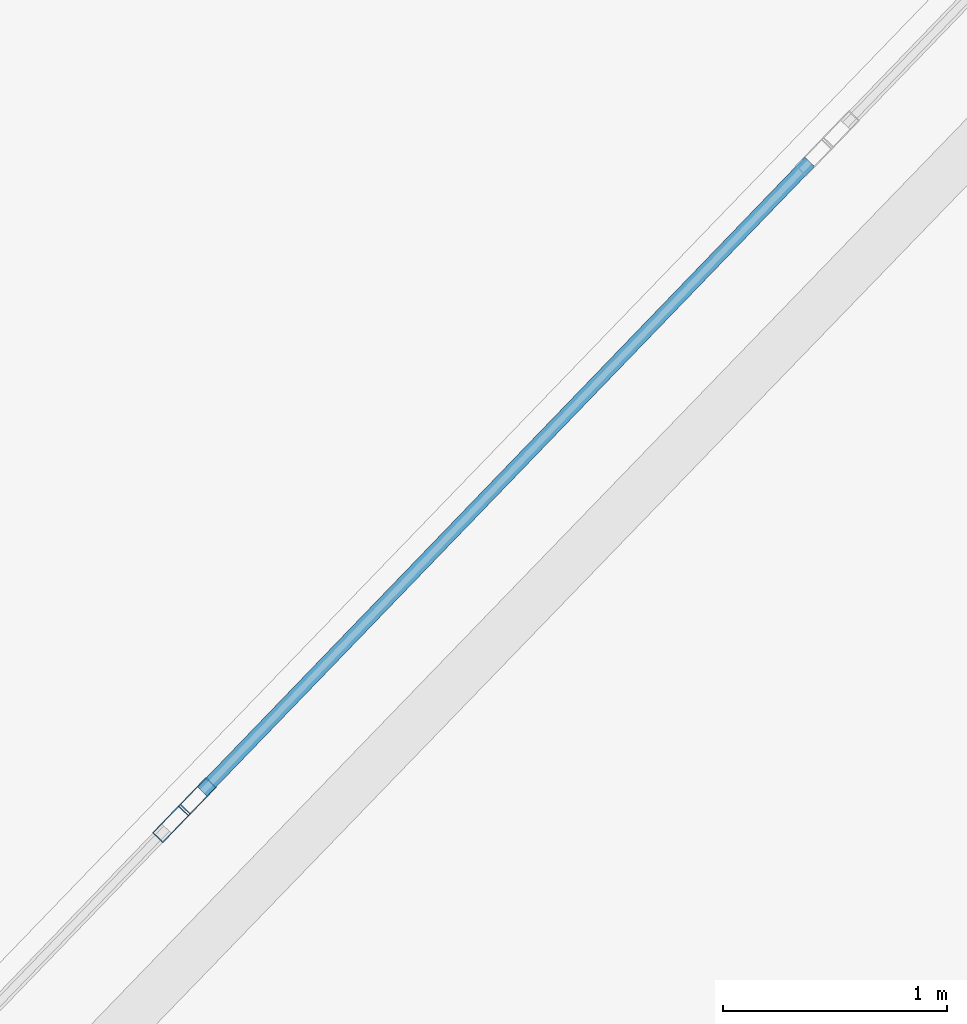
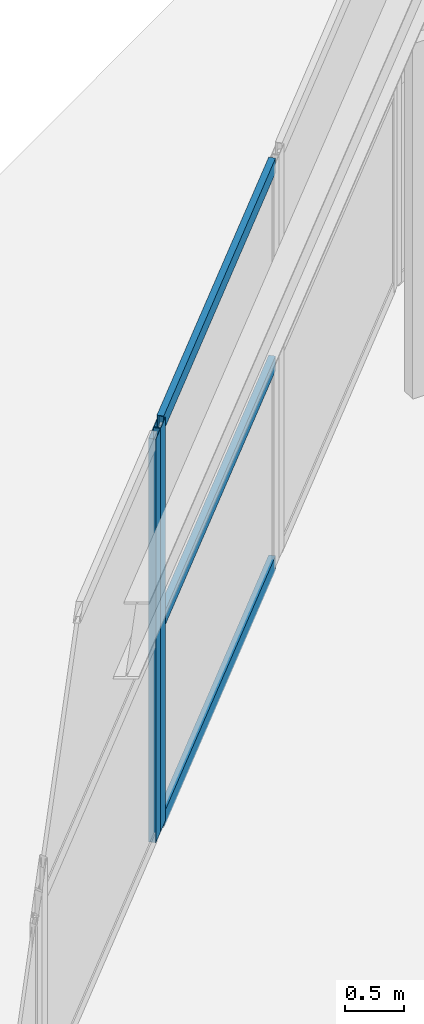
# One storey, part 59 of 126: 5 members, 2 elements without a shape of their own.
"""IFC4 building model written with IfcOpenShell, lengths in metres."""

from ifc_helpers import new_model, si_unit, direction, frame, origin, origin_2d, place, context, subcontext, project, spatial, hollow_rectangle, extrude, material, layer, layer_set, material_profile, profile_set, type_object, element, aggregate, save


model = new_model("IFC4")

# Units and contexts
model_context = context("Model", 3, precision=1e-05, world=origin(), true_north=direction((0.0, 1.0)))
body_context = subcontext(model_context, "Body", "Model", "MODEL_VIEW")
ifc_project = project(units=[si_unit("LENGTHUNIT", "METRE"), si_unit("AREAUNIT", "SQUARE_METRE"), si_unit("VOLUMEUNIT", "CUBIC_METRE"), si_unit("PLANEANGLEUNIT", "RADIAN"), si_unit("MASSUNIT", "GRAM", prefix="KILO")], contexts=[model_context])

# Site, building, storey
site_placement = place(None, origin())
site = spatial("IfcSite", under=ifc_project, at=site_placement, CompositionType="ELEMENT")
building_placement = place(site_placement, origin())
building = spatial("IfcBuilding", under=site, at=building_placement, Name="Kalgoora Escarpment Arena", CompositionType="ELEMENT")
storey_placement = place(building_placement, frame((0.0, 0.0, 18.89990234375)))
storey = spatial("IfcBuildingStorey", under=building, at=storey_placement, Name="L04", CompositionType="ELEMENT", Elevation=18.89990234375)

# Curtain wall, member
ifc_material_1 = material(Name=" Champagne anodised aluminium & double-glazed low-E", Category="aluminium")
ifc_layer_1 = layer(ifc_material_1, 0.162109375)
ifc_layer_set_1 = layer_set([ifc_layer_1], Name="CW-UNIT-08")
curtain_wall_type_1 = type_object("IfcCurtainWallType", Name="CW-UNIT-08", PredefinedType="NOTDEFINED", material=ifc_layer_set_1)
curtain_wall_1_placement = place(storey_placement, origin())
curtain_wall_1 = element("IfcCurtainWall", 1, at=curtain_wall_1_placement, inside=storey, type_object=curtain_wall_type_1, Name="L04 unitised facade curtain wall 147", PredefinedType="NOTDEFINED")
ifc_material_2 = material(Name="Anodised aluminium 6063-T6", Category="aluminium")
ifc_material_profile_1 = material_profile(ifc_material_2, hollow_rectangle(XDim=0.06494140625, YDim=0.179931640625, WallThickness=0.00390625, at=origin_2d()))
ifc_profile_set_1 = profile_set([ifc_material_profile_1], Name="Anodised aluminium 6063-T6")
member_type_1 = type_object("IfcMemberType", Name="MEM-CW-MULL-180", PredefinedType="MULLION", material=ifc_profile_set_1)
member_1_placement = place(storey_placement, frame((35.481689453125, 98.6220703125, 0.02001953125), z_axis=(0.0, 0.0, 1.0), x_axis=(-0.719777208849, 0.694205135116, 0.0)))
member_1 = element("IfcMember", 2, at=member_1_placement, type_object=member_type_1, Name="CW-08 mullion 2", PredefinedType="MULLION", context=body_context, shape_type="SweptSolid", body=[
    extrude(hollow_rectangle(XDim=0.06494140625, YDim=0.179931640625, WallThickness=0.00390625, at=origin_2d()), origin(), (0.0, 0.0, 1.0), 4.16015625),
])
aggregate(curtain_wall_1, [member_1])

# Curtain wall, members
ifc_material_3 = material(Name=" Champagne anodised aluminium & double-glazed low-E", Category="aluminium")
ifc_layer_2 = layer(ifc_material_3, 0.166015625)
ifc_layer_set_2 = layer_set([ifc_layer_2], Name="CW-UNIT-09")
curtain_wall_type_2 = type_object("IfcCurtainWallType", Name="CW-UNIT-09", PredefinedType="NOTDEFINED", material=ifc_layer_set_2)
curtain_wall_2_placement = place(storey_placement, origin())
curtain_wall_2 = element("IfcCurtainWall", 3, at=curtain_wall_2_placement, inside=storey, type_object=curtain_wall_type_2, Name="L04 unitised facade curtain wall 148", PredefinedType="NOTDEFINED")
member_2_placement = place(storey_placement, frame((35.59619140625, 98.74072265625, 0.02001953125), z_axis=(0.0, 0.0, 1.0), x_axis=(-0.719777208849, 0.694205135116, 0.0)))
member_2 = element("IfcMember", 4, at=member_2_placement, type_object=member_type_1, Name="CW-09 mullion 1", PredefinedType="MULLION", context=body_context, shape_type="SweptSolid", body=[
    extrude(hollow_rectangle(XDim=0.06494140625, YDim=0.179931640625, WallThickness=0.00390625, at=origin_2d()), origin(), (0.0, 0.0, 1.0), 4.16015625),
])
ifc_material_4 = material(Name="Anodised aluminium 6063-T6", Category="aluminium")
ifc_material_profile_2 = material_profile(ifc_material_4, hollow_rectangle(XDim=0.06005859375, YDim=0.14990234375, WallThickness=0.00341796875, at=origin_2d()))
ifc_profile_set_2 = profile_set([ifc_material_profile_2], Name="Anodised aluminium 6063-T6")
member_type_2 = type_object("IfcMemberType", Name="MEM-CW-TRAN-150", PredefinedType="USERDEFINED", material=ifc_profile_set_2)
member_3_placement = place(storey_placement, frame((35.618896484375, 98.76416015625, 0.050048828125), z_axis=(0.694202527693, 0.719779723627, 0.0), x_axis=(-0.719779723627, 0.694202527693, 0.0)))
member_3 = element("IfcMember", 5, at=member_3_placement, type_object=member_type_2, Name="CW-09 transom 1.1", ObjectType="TRANSOM", PredefinedType="USERDEFINED", context=body_context, shape_type="SweptSolid", body=[
    extrude(hollow_rectangle(XDim=0.06005859375, YDim=0.14990234375, WallThickness=0.00341796875, at=origin_2d()), origin(), (0.0, 0.0, 1.0), 3.91357421875),
])
member_4_placement = place(storey_placement, frame((35.618896484375, 98.76416015625, 2.110107421875), z_axis=(0.694202527693, 0.719779723627, 0.0), x_axis=(-0.719779723627, 0.694202527693, 0.0)))
member_4 = element("IfcMember", 6, at=member_4_placement, type_object=member_type_2, Name="CW-09 transom 1.2", ObjectType="TRANSOM", PredefinedType="USERDEFINED", context=body_context, shape_type="SweptSolid", body=[
    extrude(hollow_rectangle(XDim=0.06005859375, YDim=0.14990234375, WallThickness=0.00341796875, at=origin_2d()), origin(), (0.0, 0.0, 1.0), 3.91357421875),
])
member_5_placement = place(storey_placement, frame((35.618896484375, 98.76416015625, 4.150146484375), z_axis=(0.694202527693, 0.719779723627, 0.0), x_axis=(-0.719779723627, 0.694202527693, 0.0)))
member_5 = element("IfcMember", 7, at=member_5_placement, type_object=member_type_2, Name="CW-09 transom 1.3", ObjectType="TRANSOM", PredefinedType="USERDEFINED", context=body_context, shape_type="SweptSolid", body=[
    extrude(hollow_rectangle(XDim=0.06005859375, YDim=0.14990234375, WallThickness=0.00341796875, at=origin_2d()), origin(), (0.0, 0.0, 1.0), 3.91357421875),
])
aggregate(curtain_wall_2, [member_2, member_3, member_4, member_5])

save(model, "model.ifc")
